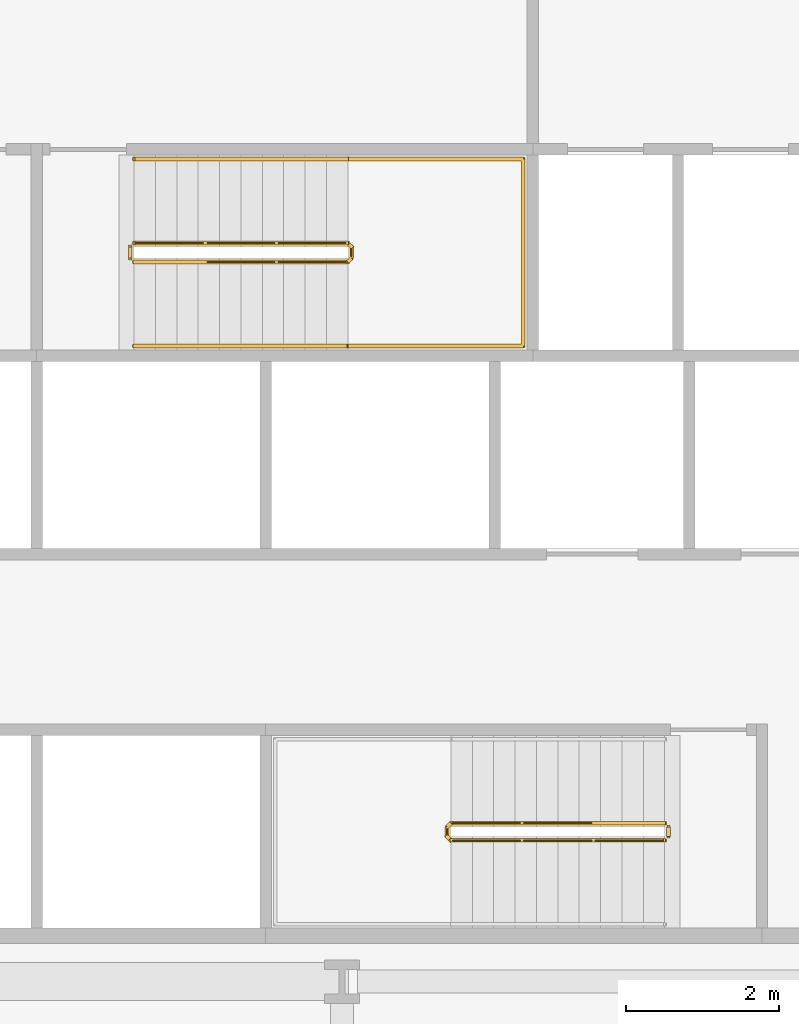
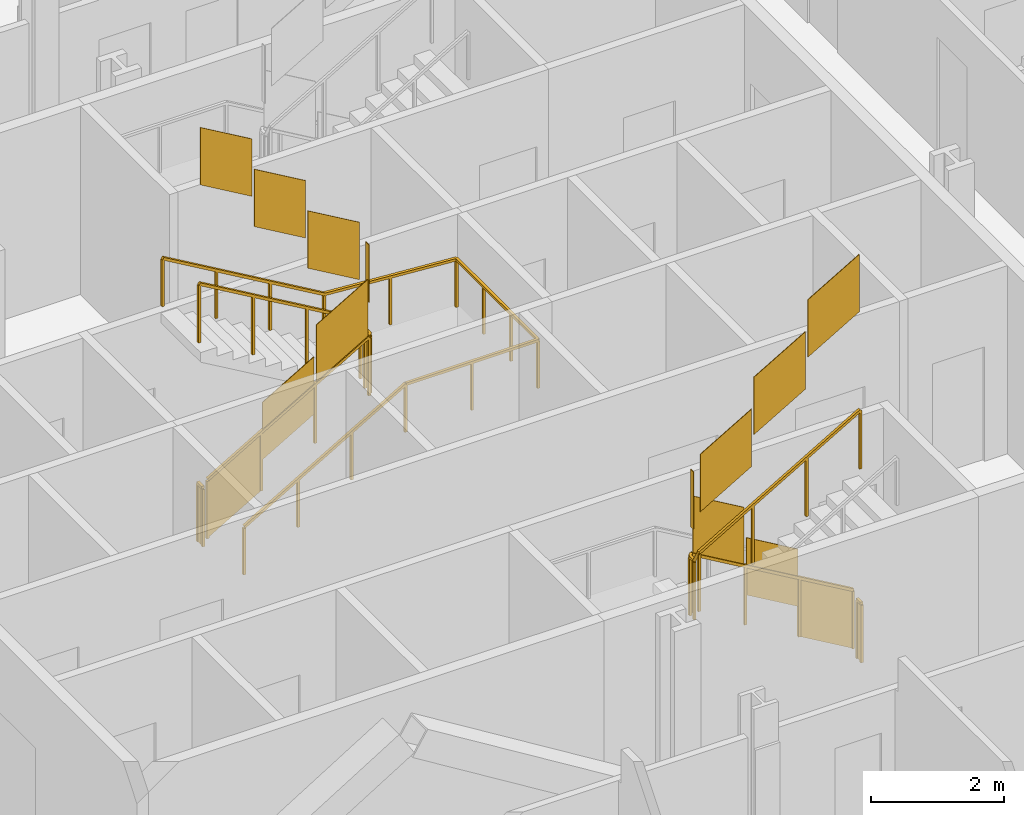
# One storey, part 18 of 21: 5 railings.
"""IFC4 building model written with IfcOpenShell, lengths in metres."""

from ifc_helpers import new_model, si_unit, direction, frame, origin, origin_2d, place, context, subcontext, project, spatial, polyline, rectangle, outline, extrude, material, type_object, element, save


model = new_model("IFC4")

# Units and contexts
model_context = context("Model", 3, precision=1e-05, world=origin(), true_north=direction((0.0, 1.0)))
body_context = subcontext(model_context, "Body", "Model", "MODEL_VIEW")
ifc_project = project(units=[si_unit("LENGTHUNIT", "METRE"), si_unit("AREAUNIT", "SQUARE_METRE"), si_unit("VOLUMEUNIT", "CUBIC_METRE"), si_unit("PLANEANGLEUNIT", "RADIAN"), si_unit("MASSUNIT", "GRAM", prefix="KILO")], contexts=[model_context])

# Site, building, storey
site_placement = place(None, origin())
site = spatial("IfcSite", under=ifc_project, at=site_placement, CompositionType="ELEMENT")
building_placement = place(site_placement, origin())
building = spatial("IfcBuilding", under=site, at=building_placement, Name="Cairn Pilgrim Tower", CompositionType="ELEMENT")
storey_placement = place(building_placement, frame((0.0, 0.0, 47.39990234375)))
storey = spatial("IfcBuildingStorey", under=building, at=storey_placement, Name="L09", CompositionType="ELEMENT", Elevation=47.39990234375)

# Railings
ifc_material = material(Name="Painted steel", Category="steel")
railing_type_1 = type_object("IfcRailingType", Name="STAIR GUARD 1100", PredefinedType="GUARDRAIL", material=ifc_material)
railing_1_placement = place(storey_placement, frame((11.425048828125, -3.925048828125, 0.163818359375)))
element("IfcRailing", 1, at=railing_1_placement, inside=storey, type_object=railing_type_1, Name="L09 ST-A stair guard 1", PredefinedType="GUARDRAIL", context=body_context, shape_type="SweptSolid", body=[
    extrude(rectangle(XDim=0.048095703125, YDim=0.048095703125, at=origin_2d()), frame((0.0, 0.0, 1.076171875), z_axis=(-0.863393664356, 0.0, 0.504530851732), x_axis=(0.0, -1.0, 0.0)), (0.0, 0.0, 1.0), 3.2431640625),
    extrude(rectangle(XDim=0.048095703125, YDim=0.048095703125, at=origin_2d()), frame((-2.800048828125, 0.0, 2.71240234375), z_axis=(-0.707106781187, -0.707106781187, 0.0), x_axis=(0.707106781187, -0.707106781187, 0.0)), (0.0, 0.0, 1.0), 0.07080078125),
    extrude(rectangle(XDim=0.048095703125, YDim=0.048095703125, at=origin_2d()), frame((-2.85009765625, -0.050048828125, 2.71240234375), z_axis=(0.0, -1.0, 0.0), x_axis=(1.0, 0.0, 0.0)), (0.0, 0.0, 1.0), 0.125),
    extrude(rectangle(XDim=0.048095703125, YDim=0.048095703125, at=origin_2d()), frame((-2.85009765625, -0.175048828125, 2.71240234375), z_axis=(0.280916556609, -0.279546231943, 0.91811752648), x_axis=(0.705375805398, 0.708833529934, 0.0)), (0.0, 0.0, 1.0), 0.17822265625),
    extrude(rectangle(XDim=0.048095703125, YDim=0.048095703125, at=origin_2d()), frame((-2.800048828125, -0.224853515625, 2.8759765625), z_axis=(0.863360870873, 0.0, 0.504586966384), x_axis=(0.0, 1.0, 0.0)), (0.0, 0.0, 1.0), 3.2431640625),
    extrude(rectangle(XDim=0.0419921875, YDim=0.0419921875, at=origin_2d()), origin(), (0.0, 0.0, 1.0), 1.052001953125),
    extrude(rectangle(XDim=0.0419921875, YDim=0.0419921875, at=origin_2d()), frame((-0.933349609375, 0.0, 0.54541015625)), (0.0, 0.0, 1.0), 1.052001953125),
    extrude(rectangle(XDim=0.0419921875, YDim=0.0419921875, at=origin_2d()), frame((-1.86669921875, 0.0, 1.0908203125)), (0.0, 0.0, 1.0), 1.052001953125),
    extrude(rectangle(XDim=0.0419921875, YDim=0.0419921875, at=origin_2d()), frame((-2.800048828125, 0.0, 1.63623046875)), (0.0, 0.0, 1.0), 1.052001953125),
    extrude(rectangle(XDim=0.0419921875, YDim=0.0419921875, at=origin_2d()), frame((-2.85009765625, -0.050048828125, 1.63623046875)), (0.0, 0.0, 1.0), 1.052001953125),
    extrude(rectangle(XDim=0.0419921875, YDim=0.0419921875, at=origin_2d()), frame((-2.85009765625, -0.175048828125, 1.63623046875)), (0.0, 0.0, 1.0), 1.052001953125),
    extrude(rectangle(XDim=0.0419921875, YDim=0.0419921875, at=origin_2d()), frame((-2.800048828125, -0.224853515625, 1.7998046875)), (0.0, 0.0, 1.0), 1.052001953125),
    extrude(rectangle(XDim=0.0419921875, YDim=0.0419921875, at=origin_2d()), frame((-1.86669921875, -0.224853515625, 2.34521484375)), (0.0, 0.0, 1.0), 1.052001953125),
    extrude(rectangle(XDim=0.0419921875, YDim=0.0419921875, at=origin_2d()), frame((-0.933349609375, -0.224853515625, 2.890869140625)), (0.0, 0.0, 1.0), 1.052001953125),
    extrude(rectangle(XDim=0.0419921875, YDim=0.0419921875, at=origin_2d()), frame((0.0, -0.224853515625, 3.436279296875)), (0.0, 0.0, 1.0), 1.052001953125),
    extrude(outline(polyline([(0.02099609375, 0.01220703125), (0.912353515625, 0.533203125), (0.912353515625, 1.585205078125), (0.02099609375, 1.064208984375), (0.02099609375, 0.01220703125)])), frame((0.0, -0.005859375, 0.0), z_axis=(0.0, 1.0, 0.0), x_axis=(-1.0, 0.0, 0.0)), (0.0, 0.0, 1.0), 0.011962890625),
    extrude(outline(polyline([(0.02099609375, 0.5576171875), (0.912353515625, 1.07861328125), (0.912353515625, 2.130615234375), (0.02099609375, 1.609619140625), (0.02099609375, 0.5576171875)])), frame((-0.933349609375, -0.005859375, 0.54541015625), z_axis=(0.0, 1.0, 0.0), x_axis=(-1.0, 0.0, 0.0)), (0.0, 0.0, 1.0), 0.011962890625),
    extrude(outline(polyline([(0.02099609375, 1.10302734375), (0.912353515625, 1.6240234375), (0.912353515625, 2.676025390625), (0.02099609375, 2.155029296875), (0.02099609375, 1.10302734375)])), frame((-1.86669921875, -0.005859375, 1.0908203125), z_axis=(0.0, 1.0, 0.0), x_axis=(-1.0, 0.0, 0.0)), (0.0, 0.0, 1.0), 0.011962890625),
    extrude(outline(polyline([(0.02099609375, 1.63623046875), (0.10400390625, 1.63623046875), (0.10400390625, 2.688232421875), (0.02099609375, 2.688232421875), (0.02099609375, 1.63623046875)])), frame((-2.84423828125, -0.050048828125, 1.63623046875), z_axis=(-1.0, 0.0, 0.0), x_axis=(0.0, -1.0, 0.0)), (0.0, 0.0, 1.0), 0.011962890625),
    extrude(outline(polyline([(0.02099609375, 1.81201171875), (0.912353515625, 2.3330078125), (0.912353515625, 3.385009765625), (0.02099609375, 2.864013671875), (0.02099609375, 1.81201171875)])), frame((-2.800048828125, -0.21875, 1.7998046875), z_axis=(0.0, -1.0, 0.0), x_axis=(1.0, 0.0, 0.0)), (0.0, 0.0, 1.0), 0.011962890625),
    extrude(outline(polyline([(0.02099609375, 2.357666015625), (0.912353515625, 2.87841796875), (0.912353515625, 3.930419921875), (0.02099609375, 3.40966796875), (0.02099609375, 2.357666015625)])), frame((-1.86669921875, -0.21875, 2.34521484375), z_axis=(0.0, -1.0, 0.0), x_axis=(1.0, 0.0, 0.0)), (0.0, 0.0, 1.0), 0.011962890625),
    extrude(outline(polyline([(0.02099609375, 2.903076171875), (0.912353515625, 3.424072265625), (0.912353515625, 4.47607421875), (0.02099609375, 3.955078125), (0.02099609375, 2.903076171875)])), frame((-0.933349609375, -0.21875, 2.890869140625), z_axis=(0.0, -1.0, 0.0), x_axis=(1.0, 0.0, 0.0)), (0.0, 0.0, 1.0), 0.011962890625),
])
railing_2_placement = place(storey_placement, frame((11.47509765625, -3.97509765625, 0.0)))
element("IfcRailing", 2, at=railing_2_placement, inside=storey, type_object=railing_type_1, Name="L09 ST-A stair guard 2", PredefinedType="GUARDRAIL", context=body_context, shape_type="SweptSolid", body=[
    extrude(rectangle(XDim=0.048095703125, YDim=0.048095703125, at=origin_2d()), frame((0.0, 0.0, 1.076171875), z_axis=(0.0, -1.0, 0.0), x_axis=(1.0, 0.0, 0.0)), (0.0, 0.0, 1.0), 0.125),
    extrude(rectangle(XDim=0.0419921875, YDim=0.0419921875, at=origin_2d()), origin(), (0.0, 0.0, 1.0), 1.052001953125),
    extrude(rectangle(XDim=0.0419921875, YDim=0.0419921875, at=origin_2d()), frame((0.0, -0.125, 0.0)), (0.0, 0.0, 1.0), 1.052001953125),
    extrude(outline(polyline([(0.02099609375, 0.0), (0.10400390625, 0.0), (0.10400390625, 1.052001953125), (0.02099609375, 1.052001953125), (0.02099609375, 0.0)])), frame((0.005859375, 0.0, 0.0), z_axis=(-1.0, 0.0, 0.0), x_axis=(0.0, -1.0, 0.0)), (0.0, 0.0, 1.0), 0.011962890625),
])
railing_3_placement = place(storey_placement, frame((4.47509765625, 3.425048828125, 0.163818359375)))
element("IfcRailing", 3, at=railing_3_placement, inside=storey, type_object=railing_type_1, Name="L09 ST-B stair guard 1", PredefinedType="GUARDRAIL", context=body_context, shape_type="SweptSolid", body=[
    extrude(rectangle(XDim=0.048095703125, YDim=0.048095703125, at=origin_2d()), frame((0.0, 0.0, 1.076171875), z_axis=(0.863374499697, 0.0, 0.504563646405), x_axis=(0.0, 1.0, 0.0)), (0.0, 0.0, 1.0), 3.242919921875),
    extrude(rectangle(XDim=0.048095703125, YDim=0.048095703125, at=origin_2d()), frame((2.7998046875, 0.0, 2.71240234375), z_axis=(0.707106781187, 0.707106781187, 0.0), x_axis=(-0.707106781187, 0.707106781187, 0.0)), (0.0, 0.0, 1.0), 0.07080078125),
    extrude(rectangle(XDim=0.048095703125, YDim=0.048095703125, at=origin_2d()), frame((2.849853515625, 0.050048828125, 2.71240234375), z_axis=(0.0, 1.0, 0.0), x_axis=(-1.0, 0.0, 0.0)), (0.0, 0.0, 1.0), 0.14990234375),
    extrude(rectangle(XDim=0.048095703125, YDim=0.048095703125, at=origin_2d()), frame((2.849853515625, 0.199951171875, 2.71240234375), z_axis=(-0.280808744504, 0.280808744504, 0.917765164963), x_axis=(-0.707106781187, -0.707106781187, 0.0)), (0.0, 0.0, 1.0), 0.17822265625),
    extrude(rectangle(XDim=0.048095703125, YDim=0.048095703125, at=origin_2d()), frame((2.7998046875, 0.25, 2.8759765625), z_axis=(-0.863341702679, 0.0, 0.504619762213), x_axis=(0.0, -1.0, 0.0)), (0.0, 0.0, 1.0), 3.242919921875),
    extrude(rectangle(XDim=0.0419921875, YDim=0.0419921875, at=origin_2d()), origin(), (0.0, 0.0, 1.0), 1.052001953125),
    extrude(rectangle(XDim=0.0419921875, YDim=0.0419921875, at=origin_2d()), frame((0.933349609375, 0.0, 0.54541015625)), (0.0, 0.0, 1.0), 1.052001953125),
    extrude(rectangle(XDim=0.0419921875, YDim=0.0419921875, at=origin_2d()), frame((1.866455078125, 0.0, 1.0908203125)), (0.0, 0.0, 1.0), 1.052001953125),
    extrude(rectangle(XDim=0.0419921875, YDim=0.0419921875, at=origin_2d()), frame((2.7998046875, 0.0, 1.63623046875)), (0.0, 0.0, 1.0), 1.052001953125),
    extrude(rectangle(XDim=0.0419921875, YDim=0.0419921875, at=origin_2d()), frame((2.849853515625, 0.050048828125, 1.63623046875)), (0.0, 0.0, 1.0), 1.052001953125),
    extrude(rectangle(XDim=0.0419921875, YDim=0.0419921875, at=origin_2d()), frame((2.849853515625, 0.199951171875, 1.63623046875)), (0.0, 0.0, 1.0), 1.052001953125),
    extrude(rectangle(XDim=0.0419921875, YDim=0.0419921875, at=origin_2d()), frame((2.7998046875, 0.25, 1.7998046875)), (0.0, 0.0, 1.0), 1.052001953125),
    extrude(rectangle(XDim=0.0419921875, YDim=0.0419921875, at=origin_2d()), frame((1.866455078125, 0.25, 2.34521484375)), (0.0, 0.0, 1.0), 1.052001953125),
    extrude(rectangle(XDim=0.0419921875, YDim=0.0419921875, at=origin_2d()), frame((0.933349609375, 0.25, 2.890869140625)), (0.0, 0.0, 1.0), 1.052001953125),
    extrude(rectangle(XDim=0.0419921875, YDim=0.0419921875, at=origin_2d()), frame((0.0, 0.25, 3.436279296875)), (0.0, 0.0, 1.0), 1.052001953125),
    extrude(outline(polyline([(0.02099609375, 0.01220703125), (0.912353515625, 0.533203125), (0.912353515625, 1.585205078125), (0.02099609375, 1.064208984375), (0.02099609375, 0.01220703125)])), frame((0.0, 0.005859375, 0.0), z_axis=(0.0, -1.0, 0.0), x_axis=(1.0, 0.0, 0.0)), (0.0, 0.0, 1.0), 0.011962890625),
    extrude(outline(polyline([(0.02099609375, 0.5576171875), (0.912353515625, 1.07861328125), (0.912353515625, 2.130615234375), (0.02099609375, 1.609619140625), (0.02099609375, 0.5576171875)])), frame((0.933349609375, 0.005859375, 0.54541015625), z_axis=(0.0, -1.0, 0.0), x_axis=(1.0, 0.0, 0.0)), (0.0, 0.0, 1.0), 0.011962890625),
    extrude(outline(polyline([(0.02099609375, 1.10302734375), (0.912353515625, 1.6240234375), (0.912353515625, 2.676025390625), (0.02099609375, 2.155029296875), (0.02099609375, 1.10302734375)])), frame((1.866455078125, 0.005859375, 1.0908203125), z_axis=(0.0, -1.0, 0.0), x_axis=(1.0, 0.0, 0.0)), (0.0, 0.0, 1.0), 0.011962890625),
    extrude(outline(polyline([(0.02099609375, 1.63623046875), (0.12890625, 1.63623046875), (0.12890625, 2.688232421875), (0.02099609375, 2.688232421875), (0.02099609375, 1.63623046875)])), frame((2.84375, 0.050048828125, 1.63623046875), z_axis=(1.0, 0.0, 0.0), x_axis=(0.0, 1.0, 0.0)), (0.0, 0.0, 1.0), 0.011962890625),
    extrude(outline(polyline([(0.02099609375, 1.81201171875), (0.912353515625, 2.3330078125), (0.912353515625, 3.385009765625), (0.02099609375, 2.864013671875), (0.02099609375, 1.81201171875)])), frame((2.7998046875, 0.244140625, 1.7998046875), z_axis=(0.0, 1.0, 0.0), x_axis=(-1.0, 0.0, 0.0)), (0.0, 0.0, 1.0), 0.011962890625),
    extrude(outline(polyline([(0.02099609375, 2.357666015625), (0.912353515625, 2.87841796875), (0.912353515625, 3.930419921875), (0.02099609375, 3.40966796875), (0.02099609375, 2.357666015625)])), frame((1.866455078125, 0.244140625, 2.34521484375), z_axis=(0.0, 1.0, 0.0), x_axis=(-1.0, 0.0, 0.0)), (0.0, 0.0, 1.0), 0.011962890625),
    extrude(outline(polyline([(0.02099609375, 2.903076171875), (0.912353515625, 3.424072265625), (0.912353515625, 4.47607421875), (0.02099609375, 3.955078125), (0.02099609375, 2.903076171875)])), frame((0.933349609375, 0.244140625, 2.890869140625), z_axis=(0.0, 1.0, 0.0), x_axis=(-1.0, 0.0, 0.0)), (0.0, 0.0, 1.0), 0.011962890625),
])
railing_4_placement = place(storey_placement, frame((4.425048828125, 3.47509765625, 0.0)))
element("IfcRailing", 4, at=railing_4_placement, inside=storey, type_object=railing_type_1, Name="L09 ST-B stair guard 2", PredefinedType="GUARDRAIL", context=body_context, shape_type="SweptSolid", body=[
    extrude(rectangle(XDim=0.048095703125, YDim=0.048095703125, at=origin_2d()), frame((0.0, 0.0, 1.076171875), z_axis=(0.0, 1.0, 0.0), x_axis=(-1.0, 0.0, 0.0)), (0.0, 0.0, 1.0), 0.14990234375),
    extrude(rectangle(XDim=0.0419921875, YDim=0.0419921875, at=origin_2d()), origin(), (0.0, 0.0, 1.0), 1.052001953125),
    extrude(rectangle(XDim=0.0419921875, YDim=0.0419921875, at=origin_2d()), frame((0.0, 0.14990234375, 0.0)), (0.0, 0.0, 1.0), 1.052001953125),
    extrude(outline(polyline([(0.02099609375, 0.0), (0.12890625, 0.0), (0.12890625, 1.052001953125), (0.02099609375, 1.052001953125), (0.02099609375, 0.0)])), frame((-0.005859375, 0.0, 0.0), z_axis=(1.0, 0.0, 0.0), x_axis=(0.0, 1.0, 0.0)), (0.0, 0.0, 1.0), 0.011962890625),
])
railing_type_2 = type_object("IfcRailingType", Name="STAIR HANDRAIL 900", PredefinedType="HANDRAIL", material=ifc_material)
railing_5_placement = place(storey_placement, frame((4.47509765625, 2.324951171875, 0.163818359375)))
element("IfcRailing", 5, at=railing_5_placement, inside=storey, type_object=railing_type_2, Name="L09 ST-B stair handrail 1", PredefinedType="HANDRAIL", context=body_context, shape_type="SweptSolid", body=[
    extrude(rectangle(XDim=0.048095703125, YDim=0.048095703125, at=origin_2d()), frame((0.0, 0.0, 0.8759765625), z_axis=(0.863374499697, 0.0, 0.504563646405), x_axis=(0.0, 1.0, 0.0)), (0.0, 0.0, 1.0), 3.242919921875),
    extrude(rectangle(XDim=0.048095703125, YDim=0.048095703125, at=origin_2d()), frame((2.7998046875, 0.0, 2.51220703125), z_axis=(1.0, 0.0, 0.0), x_axis=(0.0, 1.0, 0.0)), (0.0, 0.0, 1.0), 2.300048828125),
    extrude(rectangle(XDim=0.048095703125, YDim=0.048095703125, at=origin_2d()), frame((5.099853515625, 0.0, 2.51220703125), z_axis=(0.0, 1.0, 0.0), x_axis=(-1.0, 0.0, 0.0)), (0.0, 0.0, 1.0), 2.449951171875),
    extrude(rectangle(XDim=0.048095703125, YDim=0.048095703125, at=origin_2d()), frame((5.099853515625, 2.449951171875, 2.51220703125), z_axis=(-0.997480687736, 0.0, 0.070938548008), x_axis=(0.0, -1.0, 0.0)), (0.0, 0.0, 1.0), 2.305908203125),
    extrude(rectangle(XDim=0.048095703125, YDim=0.048095703125, at=origin_2d()), frame((2.7998046875, 2.449951171875, 2.67578125), z_axis=(-0.863341702679, 0.0, 0.504619762213), x_axis=(0.0, -1.0, 0.0)), (0.0, 0.0, 1.0), 3.242919921875),
    extrude(rectangle(XDim=0.0419921875, YDim=0.0419921875, at=origin_2d()), origin(), (0.0, 0.0, 1.0), 0.851806640625),
    extrude(rectangle(XDim=0.0419921875, YDim=0.0419921875, at=origin_2d()), frame((0.933349609375, 0.0, 0.54541015625)), (0.0, 0.0, 1.0), 0.851806640625),
    extrude(rectangle(XDim=0.0419921875, YDim=0.0419921875, at=origin_2d()), frame((1.866455078125, 0.0, 1.0908203125)), (0.0, 0.0, 1.0), 0.851806640625),
    extrude(rectangle(XDim=0.0419921875, YDim=0.0419921875, at=origin_2d()), frame((2.7998046875, 0.0, 1.63623046875)), (0.0, 0.0, 1.0), 0.851806640625),
    extrude(rectangle(XDim=0.0419921875, YDim=0.0419921875, at=origin_2d()), frame((3.94970703125, 0.0, 1.63623046875)), (0.0, 0.0, 1.0), 0.851806640625),
    extrude(rectangle(XDim=0.0419921875, YDim=0.0419921875, at=origin_2d()), frame((5.099853515625, 0.0, 1.63623046875)), (0.0, 0.0, 1.0), 0.851806640625),
    extrude(rectangle(XDim=0.0419921875, YDim=0.0419921875, at=origin_2d()), frame((5.099853515625, 0.816650390625, 1.63623046875)), (0.0, 0.0, 1.0), 0.851806640625),
    extrude(rectangle(XDim=0.0419921875, YDim=0.0419921875, at=origin_2d()), frame((5.099853515625, 1.63330078125, 1.63623046875)), (0.0, 0.0, 1.0), 0.851806640625),
    extrude(rectangle(XDim=0.0419921875, YDim=0.0419921875, at=origin_2d()), frame((5.099853515625, 2.449951171875, 1.63623046875)), (0.0, 0.0, 1.0), 0.851806640625),
    extrude(rectangle(XDim=0.0419921875, YDim=0.0419921875, at=origin_2d()), frame((3.94970703125, 2.449951171875, 1.718017578125)), (0.0, 0.0, 1.0), 0.851806640625),
    extrude(rectangle(XDim=0.0419921875, YDim=0.0419921875, at=origin_2d()), frame((2.7998046875, 2.449951171875, 1.7998046875)), (0.0, 0.0, 1.0), 0.851806640625),
    extrude(rectangle(XDim=0.0419921875, YDim=0.0419921875, at=origin_2d()), frame((1.866455078125, 2.449951171875, 2.34521484375)), (0.0, 0.0, 1.0), 0.851806640625),
    extrude(rectangle(XDim=0.0419921875, YDim=0.0419921875, at=origin_2d()), frame((0.933349609375, 2.449951171875, 2.890869140625)), (0.0, 0.0, 1.0), 0.851806640625),
    extrude(rectangle(XDim=0.0419921875, YDim=0.0419921875, at=origin_2d()), frame((0.0, 2.449951171875, 3.436279296875)), (0.0, 0.0, 1.0), 0.851806640625),
])

save(model, "model.ifc")
